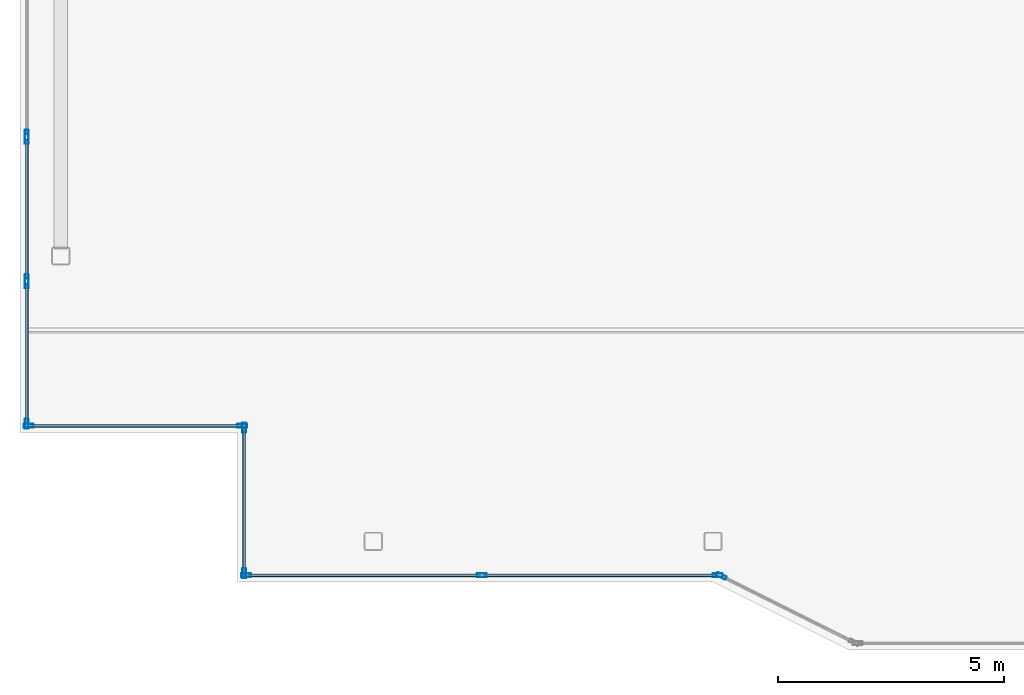
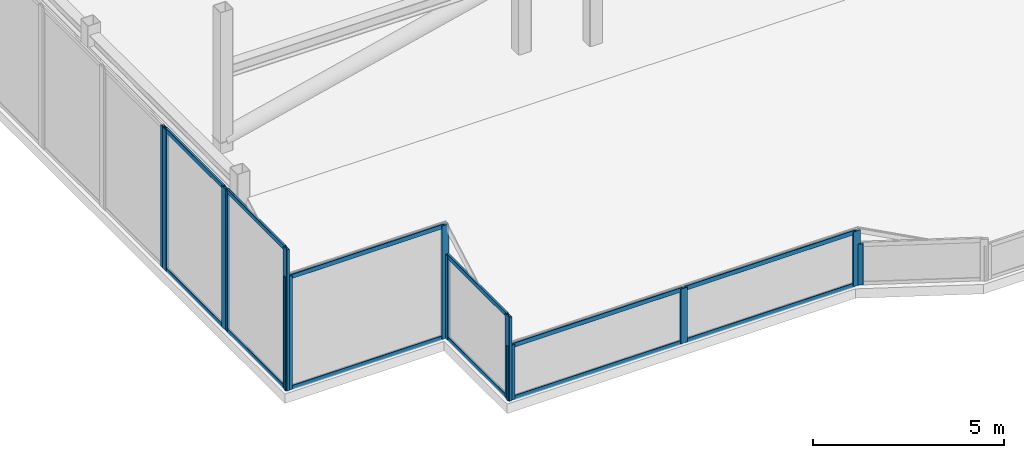
# One storey, part 2 of 16: 25 members, 7 elements without a shape of their own.
"""IFC4 building model written with IfcOpenShell, lengths in metres."""

from ifc_helpers import new_model, si_unit, direction, frame, origin, origin_2d, place, context, subcontext, project, spatial, hollow_rectangle, extrude, material, layer, layer_set, material_profile, profile_set, type_object, element, aggregate, save


model = new_model("IFC4")

# Units and contexts
model_context = context("Model", 3, precision=1e-05, world=origin(), true_north=direction((0.0, 1.0)))
body_context = subcontext(model_context, "Body", "Model", "MODEL_VIEW")
ifc_project = project(units=[si_unit("LENGTHUNIT", "METRE"), si_unit("AREAUNIT", "SQUARE_METRE"), si_unit("VOLUMEUNIT", "CUBIC_METRE"), si_unit("PLANEANGLEUNIT", "RADIAN"), si_unit("MASSUNIT", "GRAM", prefix="KILO")], contexts=[model_context])

# Site, building, storey
site_placement = place(None, origin())
site = spatial("IfcSite", under=ifc_project, at=site_placement, CompositionType="ELEMENT")
building_placement = place(site_placement, origin())
building = spatial("IfcBuilding", under=site, at=building_placement, Name="Tarnavaz Court Tower", CompositionType="ELEMENT")
storey_placement = place(building_placement, frame((0.0, 0.0, 290.550048828125)))
storey = spatial("IfcBuildingStorey", under=building, at=storey_placement, Name="C03", CompositionType="ELEMENT", Elevation=290.550048828125)

# Curtain wall, members
ifc_material_1 = material(Name="Anodised Aluminium 6063-T6 and Solar Low-E Glazing", Category="aluminium")
ifc_layer = layer(ifc_material_1, 0.2099609375)
ifc_layer_set = layer_set([ifc_layer], Name="Anodised Aluminium 6063-T6 and Solar Low-E Glazing")
curtain_wall_type = type_object("IfcCurtainWallType", Name="CW-SYS-06", PredefinedType="NOTDEFINED", material=ifc_layer_set)
curtain_wall_1_placement = place(storey_placement, origin())
curtain_wall_1 = element("IfcCurtainWall", 1, at=curtain_wall_1_placement, inside=storey, type_object=curtain_wall_type, Name="C03 Slanted Crown Terracotta Curtain Wall 1", PredefinedType="NOTDEFINED")
ifc_material_2 = material(Name="Anodised Aluminium 6063-T6", Category="aluminium")
ifc_material_profile_1 = material_profile(ifc_material_2, hollow_rectangle(XDim=0.0849609375, YDim=0.219970703125, WallThickness=0.006103515625, InnerFilletRadius=0.006103515625, OuterFilletRadius=0.011962890625, at=origin_2d()), Name="ALU RHS 220X85X6")
ifc_profile_set_1 = profile_set([ifc_material_profile_1], Name="Anodised Aluminium 6063-T6")
member_type_1 = type_object("IfcMemberType", Name="CW-MUL-220", PredefinedType="MULLION", material=ifc_profile_set_1)
member_1_placement = place(storey_placement, frame((-7.392578125, -20.85009765625, 0.0), z_axis=(0.0, 0.0, 1.0), x_axis=(0.0, -1.0, 0.0)))
member_1 = element("IfcMember", 2, at=member_1_placement, type_object=member_type_1, Name="CW mullion 1", PredefinedType="MULLION", context=body_context, shape_type="SweptSolid", body=[
    extrude(hollow_rectangle(XDim=0.0849609375, YDim=0.219970703125, WallThickness=0.006103515625, InnerFilletRadius=0.006103515625, OuterFilletRadius=0.011962890625, at=origin_2d()), origin(), (0.0, 0.0, 1.0), 1.7431640625),
])
member_2_placement = place(storey_placement, frame((-12.60009765625, -20.85009765625, 0.0), z_axis=(0.0, 0.0, 1.0), x_axis=(0.0, -1.0, 0.0)))
member_2 = element("IfcMember", 3, at=member_2_placement, type_object=member_type_1, Name="CW mullion 2", PredefinedType="MULLION", context=body_context, shape_type="SweptSolid", body=[
    extrude(hollow_rectangle(XDim=0.0849609375, YDim=0.219970703125, WallThickness=0.006103515625, InnerFilletRadius=0.006103515625, OuterFilletRadius=0.011962890625, at=origin_2d()), origin(), (0.0, 0.0, 1.0), 1.7431640625),
])
member_3_placement = place(storey_placement, frame((-17.8076171875, -20.85009765625, 0.0), z_axis=(0.0, 0.0, 1.0), x_axis=(0.0, -1.0, 0.0)))
member_3 = element("IfcMember", 4, at=member_3_placement, type_object=member_type_1, Name="CW mullion 3", PredefinedType="MULLION", context=body_context, shape_type="SweptSolid", body=[
    extrude(hollow_rectangle(XDim=0.0849609375, YDim=0.219970703125, WallThickness=0.006103515625, InnerFilletRadius=0.006103515625, OuterFilletRadius=0.011962890625, at=origin_2d()), origin(), (0.0, 0.0, 1.0), 1.7431640625),
])

curtain_wall_2_placement = place(storey_placement, origin())
curtain_wall_2 = element("IfcCurtainWall", 5, at=curtain_wall_2_placement, inside=storey, type_object=curtain_wall_type, Name="C03 Slanted Crown Terracotta Curtain Wall 2", PredefinedType="NOTDEFINED")
member_4_placement = place(storey_placement, frame((-17.85009765625, -20.8076171875, 0.0), z_axis=(0.0, 0.0, 1.0), x_axis=(-1.0, 0.0, 0.0)))
member_4 = element("IfcMember", 6, at=member_4_placement, type_object=member_type_1, Name="CW mullion 1", PredefinedType="MULLION", context=body_context, shape_type="SweptSolid", body=[
    extrude(hollow_rectangle(XDim=0.0849609375, YDim=0.219970703125, WallThickness=0.006103515625, InnerFilletRadius=0.006103515625, OuterFilletRadius=0.011962890625, at=origin_2d()), origin(), (0.0, 0.0, 1.0), 2.67626953125),
])
member_5_placement = place(storey_placement, frame((-17.85009765625, -17.592529296875, 0.0), z_axis=(0.0, 0.0, 1.0), x_axis=(-1.0, 0.0, 0.0)))
member_5 = element("IfcMember", 7, at=member_5_placement, type_object=member_type_1, Name="CW mullion 2", PredefinedType="MULLION", context=body_context, shape_type="SweptSolid", body=[
    extrude(hollow_rectangle(XDim=0.0849609375, YDim=0.219970703125, WallThickness=0.006103515625, InnerFilletRadius=0.006103515625, OuterFilletRadius=0.011962890625, at=origin_2d()), origin(), (0.0, 0.0, 1.0), 2.67626953125),
])

curtain_wall_3_placement = place(storey_placement, origin())
curtain_wall_3 = element("IfcCurtainWall", 8, at=curtain_wall_3_placement, inside=storey, type_object=curtain_wall_type, Name="C03 Slanted Crown Terracotta Curtain Wall 3", PredefinedType="NOTDEFINED")
member_6_placement = place(storey_placement, frame((-17.892578125, -17.550048828125, 0.0), z_axis=(0.0, 0.0, 1.0), x_axis=(0.0, -1.0, 0.0)))
member_6 = element("IfcMember", 9, at=member_6_placement, type_object=member_type_1, Name="CW mullion 1", PredefinedType="MULLION", context=body_context, shape_type="SweptSolid", body=[
    extrude(hollow_rectangle(XDim=0.0849609375, YDim=0.219970703125, WallThickness=0.006103515625, InnerFilletRadius=0.006103515625, OuterFilletRadius=0.011962890625, at=origin_2d()), origin(), (0.0, 0.0, 1.0), 3.609375),
])
member_7_placement = place(storey_placement, frame((-22.607421875, -17.550048828125, 0.0), z_axis=(0.0, 0.0, 1.0), x_axis=(0.0, -1.0, 0.0)))
member_7 = element("IfcMember", 10, at=member_7_placement, type_object=member_type_1, Name="CW mullion 2", PredefinedType="MULLION", context=body_context, shape_type="SweptSolid", body=[
    extrude(hollow_rectangle(XDim=0.0849609375, YDim=0.219970703125, WallThickness=0.006103515625, InnerFilletRadius=0.006103515625, OuterFilletRadius=0.011962890625, at=origin_2d()), origin(), (0.0, 0.0, 1.0), 3.609375),
])

curtain_wall_4_placement = place(storey_placement, origin())
curtain_wall_4 = element("IfcCurtainWall", 11, at=curtain_wall_4_placement, inside=storey, type_object=curtain_wall_type, Name="C03 Slanted Crown Terracotta Curtain Wall 4", PredefinedType="NOTDEFINED")
member_8_placement = place(storey_placement, frame((-22.64990234375, -17.507568359375, 0.0), z_axis=(0.0, 0.0, 1.0), x_axis=(-1.0, 0.0, 0.0)))
member_8 = element("IfcMember", 12, at=member_8_placement, type_object=member_type_1, Name="CW mullion 1", PredefinedType="MULLION", context=body_context, shape_type="SweptSolid", body=[
    extrude(hollow_rectangle(XDim=0.0849609375, YDim=0.219970703125, WallThickness=0.006103515625, InnerFilletRadius=0.006103515625, OuterFilletRadius=0.011962890625, at=origin_2d()), origin(), (0.0, 0.0, 1.0), 4.5),
])
member_9_placement = place(storey_placement, frame((-22.64990234375, -14.401611328125, 0.0), z_axis=(0.0, 0.0, 1.0), x_axis=(-1.0, 0.0, 0.0)))
member_9 = element("IfcMember", 13, at=member_9_placement, type_object=member_type_1, Name="CW mullion 2", PredefinedType="MULLION", context=body_context, shape_type="SweptSolid", body=[
    extrude(hollow_rectangle(XDim=0.0849609375, YDim=0.219970703125, WallThickness=0.006103515625, InnerFilletRadius=0.006103515625, OuterFilletRadius=0.011962890625, at=origin_2d()), origin(), (0.0, 0.0, 1.0), 4.5),
])

curtain_wall_5_placement = place(storey_placement, origin())
curtain_wall_5 = element("IfcCurtainWall", 14, at=curtain_wall_5_placement, inside=storey, type_object=curtain_wall_type, Name="C03 Slanted Crown Terracotta Curtain Wall 5", PredefinedType="NOTDEFINED")
member_10_placement = place(storey_placement, frame((-22.64990234375, -14.316650390625, 0.0), z_axis=(0.0, 0.0, 1.0), x_axis=(-1.0, 0.0, 0.0)))
member_10 = element("IfcMember", 15, at=member_10_placement, type_object=member_type_1, Name="CW mullion 1", PredefinedType="MULLION", context=body_context, shape_type="SweptSolid", body=[
    extrude(hollow_rectangle(XDim=0.0849609375, YDim=0.219970703125, WallThickness=0.006103515625, InnerFilletRadius=0.006103515625, OuterFilletRadius=0.011962890625, at=origin_2d()), origin(), (0.0, 0.0, 1.0), 4.5),
])
member_11_placement = place(storey_placement, frame((-22.64990234375, -11.210693359375, 0.0), z_axis=(0.0, 0.0, 1.0), x_axis=(-1.0, 0.0, 0.0)))
member_11 = element("IfcMember", 16, at=member_11_placement, type_object=member_type_1, Name="CW mullion 2", PredefinedType="MULLION", context=body_context, shape_type="SweptSolid", body=[
    extrude(hollow_rectangle(XDim=0.0849609375, YDim=0.219970703125, WallThickness=0.006103515625, InnerFilletRadius=0.006103515625, OuterFilletRadius=0.011962890625, at=origin_2d()), origin(), (0.0, 0.0, 1.0), 4.5),
])

# Curtain wall, member
curtain_wall_6_placement = place(storey_placement, origin())
curtain_wall_6 = element("IfcCurtainWall", 17, at=curtain_wall_6_placement, inside=storey, type_object=curtain_wall_type, Name="C03 Slanted Crown Terracotta Curtain Wall 6", PredefinedType="NOTDEFINED")
member_12_placement = place(storey_placement, frame((-22.64990234375, -11.125732421875, 0.0), z_axis=(0.0, 0.0, 1.0), x_axis=(-1.0, 0.0, 0.0)))
member_12 = element("IfcMember", 18, at=member_12_placement, type_object=member_type_1, Name="CW mullion 1", PredefinedType="MULLION", context=body_context, shape_type="SweptSolid", body=[
    extrude(hollow_rectangle(XDim=0.0849609375, YDim=0.219970703125, WallThickness=0.006103515625, InnerFilletRadius=0.006103515625, OuterFilletRadius=0.011962890625, at=origin_2d()), origin(), (0.0, 0.0, 1.0), 4.5),
])
aggregate(curtain_wall_6, [member_12])

curtain_wall_7_placement = place(storey_placement, origin())
curtain_wall_7 = element("IfcCurtainWall", 19, at=curtain_wall_7_placement, inside=storey, type_object=curtain_wall_type, Name="C03 Slanted Crown Terracotta Curtain Wall 40", PredefinedType="NOTDEFINED")
member_13_placement = place(storey_placement, frame((-7.31201171875, -20.868896484375, 0.0), z_axis=(0.0, 0.0, 1.0), x_axis=(-0.447213595499, -0.894427191001, 0.0)))
member_13 = element("IfcMember", 20, at=member_13_placement, type_object=member_type_1, Name="CW mullion 2", PredefinedType="MULLION", context=body_context, shape_type="SweptSolid", body=[
    extrude(hollow_rectangle(XDim=0.0849609375, YDim=0.219970703125, WallThickness=0.006103515625, InnerFilletRadius=0.006103515625, OuterFilletRadius=0.011962890625, at=origin_2d()), origin(), (0.0, 0.0, 1.0), 1.31884765625),
])
aggregate(curtain_wall_7, [member_13])

# Member
ifc_material_profile_2 = material_profile(ifc_material_2, hollow_rectangle(XDim=0.06494140625, YDim=0.139892578125, WallThickness=0.00390625, InnerFilletRadius=0.00390625, OuterFilletRadius=0.008056640625, at=origin_2d()), Name="ALU RHS 140X65X4")
ifc_profile_set_2 = profile_set([ifc_material_profile_2], Name="Anodised Aluminium 6063-T6")
member_type_2 = type_object("IfcMemberType", Name="CW-TRN-140", PredefinedType="USERDEFINED", material=ifc_profile_set_2)
member_14_placement = place(storey_placement, frame((-7.43505859375, -20.85009765625, 0.032470703125), z_axis=(-1.0, 0.0, 0.0), x_axis=(0.0, -1.0, 0.0)))
member_14 = element("IfcMember", 21, at=member_14_placement, type_object=member_type_2, Name="CW transom 1.1", ObjectType="TRANSOM", PredefinedType="USERDEFINED", context=body_context, shape_type="SweptSolid", body=[
    extrude(hollow_rectangle(XDim=0.06494140625, YDim=0.139892578125, WallThickness=0.00390625, InnerFilletRadius=0.00390625, OuterFilletRadius=0.008056640625, at=origin_2d()), origin(), (0.0, 0.0, 1.0), 5.12255859375),
])

member_15_placement = place(storey_placement, frame((-7.43505859375, -20.85009765625, 1.710693359375), z_axis=(-1.0, 0.0, 0.0), x_axis=(0.0, -1.0, 0.0)))
member_15 = element("IfcMember", 22, at=member_15_placement, type_object=member_type_2, Name="CW transom 1.2", ObjectType="TRANSOM", PredefinedType="USERDEFINED", context=body_context, shape_type="SweptSolid", body=[
    extrude(hollow_rectangle(XDim=0.06494140625, YDim=0.139892578125, WallThickness=0.00390625, InnerFilletRadius=0.00390625, OuterFilletRadius=0.008056640625, at=origin_2d()), origin(), (0.0, 0.0, 1.0), 5.12255859375),
])

member_16_placement = place(storey_placement, frame((-12.642578125, -20.85009765625, 0.032470703125), z_axis=(-1.0, 0.0, 0.0), x_axis=(0.0, -1.0, 0.0)))
member_16 = element("IfcMember", 23, at=member_16_placement, type_object=member_type_2, Name="CW transom 2.1", ObjectType="TRANSOM", PredefinedType="USERDEFINED", context=body_context, shape_type="SweptSolid", body=[
    extrude(hollow_rectangle(XDim=0.06494140625, YDim=0.139892578125, WallThickness=0.00390625, InnerFilletRadius=0.00390625, OuterFilletRadius=0.008056640625, at=origin_2d()), origin(), (0.0, 0.0, 1.0), 5.122314453125),
])

member_17_placement = place(storey_placement, frame((-12.642578125, -20.85009765625, 1.710693359375), z_axis=(-1.0, 0.0, 0.0), x_axis=(0.0, -1.0, 0.0)))
member_17 = element("IfcMember", 24, at=member_17_placement, type_object=member_type_2, Name="CW transom 2.2", ObjectType="TRANSOM", PredefinedType="USERDEFINED", context=body_context, shape_type="SweptSolid", body=[
    extrude(hollow_rectangle(XDim=0.06494140625, YDim=0.139892578125, WallThickness=0.00390625, InnerFilletRadius=0.00390625, OuterFilletRadius=0.008056640625, at=origin_2d()), origin(), (0.0, 0.0, 1.0), 5.122314453125),
])

aggregate(curtain_wall_1, [member_1, member_2, member_3, member_14, member_15, member_16, member_17])

member_18_placement = place(storey_placement, frame((-17.85009765625, -20.764892578125, 0.032470703125), z_axis=(0.0, 1.0, 0.0), x_axis=(-1.0, 0.0, 0.0)))
member_18 = element("IfcMember", 25, at=member_18_placement, type_object=member_type_2, Name="CW transom 1.1", ObjectType="TRANSOM", PredefinedType="USERDEFINED", context=body_context, shape_type="SweptSolid", body=[
    extrude(hollow_rectangle(XDim=0.06494140625, YDim=0.139892578125, WallThickness=0.00390625, InnerFilletRadius=0.00390625, OuterFilletRadius=0.008056640625, at=origin_2d()), origin(), (0.0, 0.0, 1.0), 3.1298828125),
])

member_19_placement = place(storey_placement, frame((-17.85009765625, -20.764892578125, 2.643798828125), z_axis=(0.0, 1.0, 0.0), x_axis=(-1.0, 0.0, 0.0)))
member_19 = element("IfcMember", 26, at=member_19_placement, type_object=member_type_2, Name="CW transom 1.2", ObjectType="TRANSOM", PredefinedType="USERDEFINED", context=body_context, shape_type="SweptSolid", body=[
    extrude(hollow_rectangle(XDim=0.06494140625, YDim=0.139892578125, WallThickness=0.00390625, InnerFilletRadius=0.00390625, OuterFilletRadius=0.008056640625, at=origin_2d()), origin(), (0.0, 0.0, 1.0), 3.1298828125),
])

aggregate(curtain_wall_2, [member_4, member_5, member_18, member_19])

member_20_placement = place(storey_placement, frame((-17.93505859375, -17.550048828125, 0.032470703125), z_axis=(-1.0, 0.0, 0.0), x_axis=(0.0, -1.0, 0.0)))
member_20 = element("IfcMember", 27, at=member_20_placement, type_object=member_type_2, Name="CW transom 1.1", ObjectType="TRANSOM", PredefinedType="USERDEFINED", context=body_context, shape_type="SweptSolid", body=[
    extrude(hollow_rectangle(XDim=0.06494140625, YDim=0.139892578125, WallThickness=0.00390625, InnerFilletRadius=0.00390625, OuterFilletRadius=0.008056640625, at=origin_2d()), origin(), (0.0, 0.0, 1.0), 4.6298828125),
])

member_21_placement = place(storey_placement, frame((-17.93505859375, -17.550048828125, 3.576904296875), z_axis=(-1.0, 0.0, 0.0), x_axis=(0.0, -1.0, 0.0)))
member_21 = element("IfcMember", 28, at=member_21_placement, type_object=member_type_2, Name="CW transom 1.2", ObjectType="TRANSOM", PredefinedType="USERDEFINED", context=body_context, shape_type="SweptSolid", body=[
    extrude(hollow_rectangle(XDim=0.06494140625, YDim=0.139892578125, WallThickness=0.00390625, InnerFilletRadius=0.00390625, OuterFilletRadius=0.008056640625, at=origin_2d()), origin(), (0.0, 0.0, 1.0), 4.6298828125),
])

aggregate(curtain_wall_3, [member_6, member_7, member_20, member_21])

member_22_placement = place(storey_placement, frame((-22.64990234375, -17.465087890625, 0.032470703125), z_axis=(0.0, 1.0, 0.0), x_axis=(-1.0, 0.0, 0.0)))
member_22 = element("IfcMember", 29, at=member_22_placement, type_object=member_type_2, Name="CW transom 1.1", ObjectType="TRANSOM", PredefinedType="USERDEFINED", context=body_context, shape_type="SweptSolid", body=[
    extrude(hollow_rectangle(XDim=0.06494140625, YDim=0.139892578125, WallThickness=0.00390625, InnerFilletRadius=0.00390625, OuterFilletRadius=0.008056640625, at=origin_2d()), origin(), (0.0, 0.0, 1.0), 3.02099609375),
])

member_23_placement = place(storey_placement, frame((-22.64990234375, -17.465087890625, 4.467529296875), z_axis=(0.0, 1.0, 0.0), x_axis=(-1.0, 0.0, 0.0)))
member_23 = element("IfcMember", 30, at=member_23_placement, type_object=member_type_2, Name="CW transom 1.2", ObjectType="TRANSOM", PredefinedType="USERDEFINED", context=body_context, shape_type="SweptSolid", body=[
    extrude(hollow_rectangle(XDim=0.06494140625, YDim=0.139892578125, WallThickness=0.00390625, InnerFilletRadius=0.00390625, OuterFilletRadius=0.008056640625, at=origin_2d()), origin(), (0.0, 0.0, 1.0), 3.02099609375),
])

aggregate(curtain_wall_4, [member_8, member_9, member_22, member_23])

member_24_placement = place(storey_placement, frame((-22.64990234375, -14.274169921875, 0.032470703125), z_axis=(0.0, 1.0, 0.0), x_axis=(-1.0, 0.0, 0.0)))
member_24 = element("IfcMember", 31, at=member_24_placement, type_object=member_type_2, Name="CW transom 1.1", ObjectType="TRANSOM", PredefinedType="USERDEFINED", context=body_context, shape_type="SweptSolid", body=[
    extrude(hollow_rectangle(XDim=0.06494140625, YDim=0.139892578125, WallThickness=0.00390625, InnerFilletRadius=0.00390625, OuterFilletRadius=0.008056640625, at=origin_2d()), origin(), (0.0, 0.0, 1.0), 3.02099609375),
])

member_25_placement = place(storey_placement, frame((-22.64990234375, -14.274169921875, 4.467529296875), z_axis=(0.0, 1.0, 0.0), x_axis=(-1.0, 0.0, 0.0)))
member_25 = element("IfcMember", 32, at=member_25_placement, type_object=member_type_2, Name="CW transom 1.2", ObjectType="TRANSOM", PredefinedType="USERDEFINED", context=body_context, shape_type="SweptSolid", body=[
    extrude(hollow_rectangle(XDim=0.06494140625, YDim=0.139892578125, WallThickness=0.00390625, InnerFilletRadius=0.00390625, OuterFilletRadius=0.008056640625, at=origin_2d()), origin(), (0.0, 0.0, 1.0), 3.02099609375),
])

aggregate(curtain_wall_5, [member_10, member_11, member_24, member_25])

save(model, "model.ifc")
